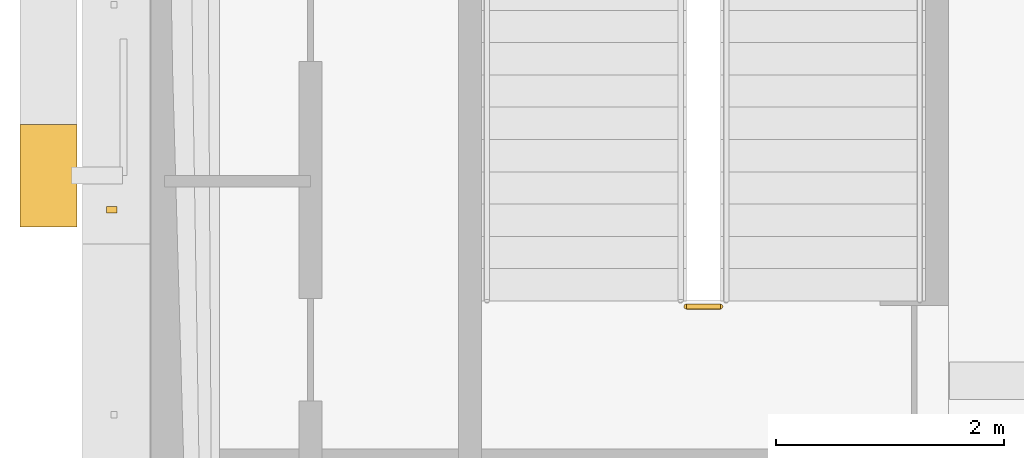
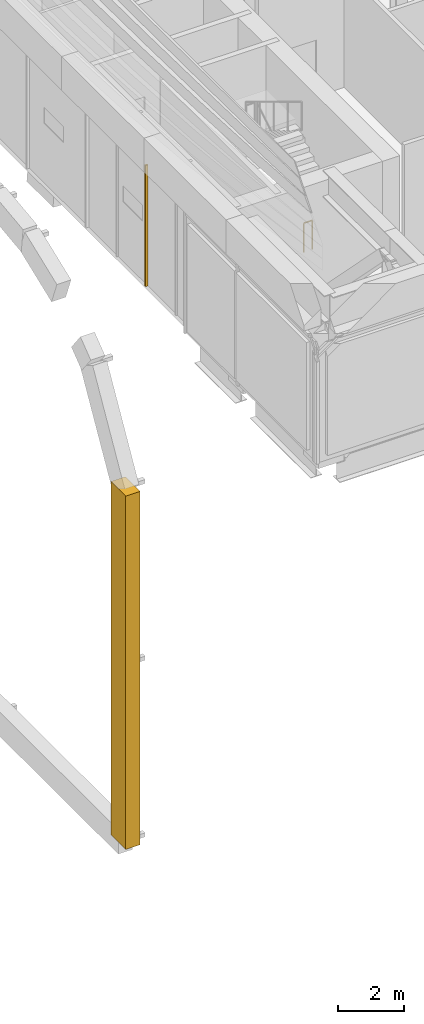
# One storey, part 17 of 38: 2 coverings, 1 railing.
"""IFC4 building model written with IfcOpenShell, lengths in metres."""

from ifc_helpers import new_model, si_unit, direction, frame, origin, origin_2d, place, context, subcontext, project, spatial, rectangle, circle, extrude, material, material_profile, profile_set, type_object, element, save


model = new_model("IFC4")

# Units and contexts
model_context = context("Model", 3, precision=1e-05, world=origin(), true_north=direction((0.0, 1.0)))
body_context = subcontext(model_context, "Body", "Model", "MODEL_VIEW")
ifc_project = project(units=[si_unit("LENGTHUNIT", "METRE"), si_unit("AREAUNIT", "SQUARE_METRE"), si_unit("VOLUMEUNIT", "CUBIC_METRE"), si_unit("PLANEANGLEUNIT", "RADIAN"), si_unit("MASSUNIT", "GRAM", prefix="KILO")], contexts=[model_context])

# Site, building, storey
site_placement = place(None, origin())
site = spatial("IfcSite", under=ifc_project, at=site_placement, CompositionType="ELEMENT")
building_placement = place(site_placement, origin())
building = spatial("IfcBuilding", under=site, at=building_placement, Name="Cobrizo Arcos Hotel Tower", CompositionType="ELEMENT")
storey_placement = place(building_placement, frame((0.0, 0.0, 138.0)))
storey = spatial("IfcBuildingStorey", under=building, at=storey_placement, Name="L35", CompositionType="ELEMENT", Elevation=138.0)

# Coverings
ifc_material_1 = material(Name="Aluminium 6063-T6 anodised pale", Category="aluminium")
ifc_material_profile = material_profile(ifc_material_1, rectangle(XDim=0.5, YDim=0.89990234375, at=origin_2d()), Name="AF-2 core arch rim 500x900")
ifc_profile_set = profile_set([ifc_material_profile], Name="Aluminium 6063-T6 anodised pale")
covering_type_1 = type_object("IfcCoveringType", Name="AF-2 core arch rim 500x900", PredefinedType="CLADDING", material=ifc_profile_set)
covering_1_placement = place(storey_placement, frame((-23.699951171875, -7.800048828125, -20.550048828125), z_axis=(0.0, 0.0, 1.0), x_axis=(1.0, 0.0, 0.0)))
element("IfcCovering", 1, at=covering_1_placement, inside=storey, type_object=covering_type_1, Name="Arch rim B W face", PredefinedType="CLADDING", context=body_context, shape_type="SweptSolid", body=[
    extrude(rectangle(XDim=0.5, YDim=0.89990234375, at=origin_2d()), origin(), (0.0, 0.0, 1.0), 13.117431640625),
])
covering_type_2 = type_object("IfcCoveringType", Name="RS-1 rainscreen rib 60x90", PredefinedType="CLADDING", material=ifc_material_1)
covering_2_placement = place(storey_placement, frame((-23.14501953125, -8.10009765625, 0.0), z_axis=(0.0, 0.0, 1.0), x_axis=(0.0, -1.0, 0.0)))
element("IfcCovering", 2, at=covering_2_placement, inside=storey, type_object=covering_type_2, Name="Rainscreen rib 59", PredefinedType="CLADDING", context=body_context, shape_type="SweptSolid", body=[
    extrude(rectangle(XDim=0.06005859375, YDim=0.090087890625, at=origin_2d()), origin(), (0.0, 0.0, 1.0), 4.5),
])

# Railing
ifc_material_2 = material(Name="Stainless steel railing", Category="steel")
railing_type = type_object("IfcRailingType", Name="Stair guard 1100", PredefinedType="GUARDRAIL", material=ifc_material_2)
railing_placement = place(storey_placement, frame((-17.800048828125, -8.949951171875, 0.0)))
element("IfcRailing", 3, at=railing_placement, inside=storey, type_object=railing_type, Name="L35 ST-W stair guard 4", PredefinedType="GUARDRAIL", context=body_context, shape_type="SweptSolid", body=[
    extrude(circle(Radius=0.02392578125, at=origin_2d()), frame((0.0, 0.0, 1.076171875), z_axis=(-1.0, 0.0, 0.0), x_axis=(0.0, -1.0, 0.0)), (0.0, 0.0, 1.0), 0.300048828125),
    extrude(circle(Radius=0.02099609375, at=origin_2d()), origin(), (0.0, 0.0, 1.0), 1.052001953125),
    extrude(circle(Radius=0.02099609375, at=origin_2d()), frame((-0.300048828125, 0.0, 0.0)), (0.0, 0.0, 1.0), 1.052001953125),
])

save(model, "model.ifc")
